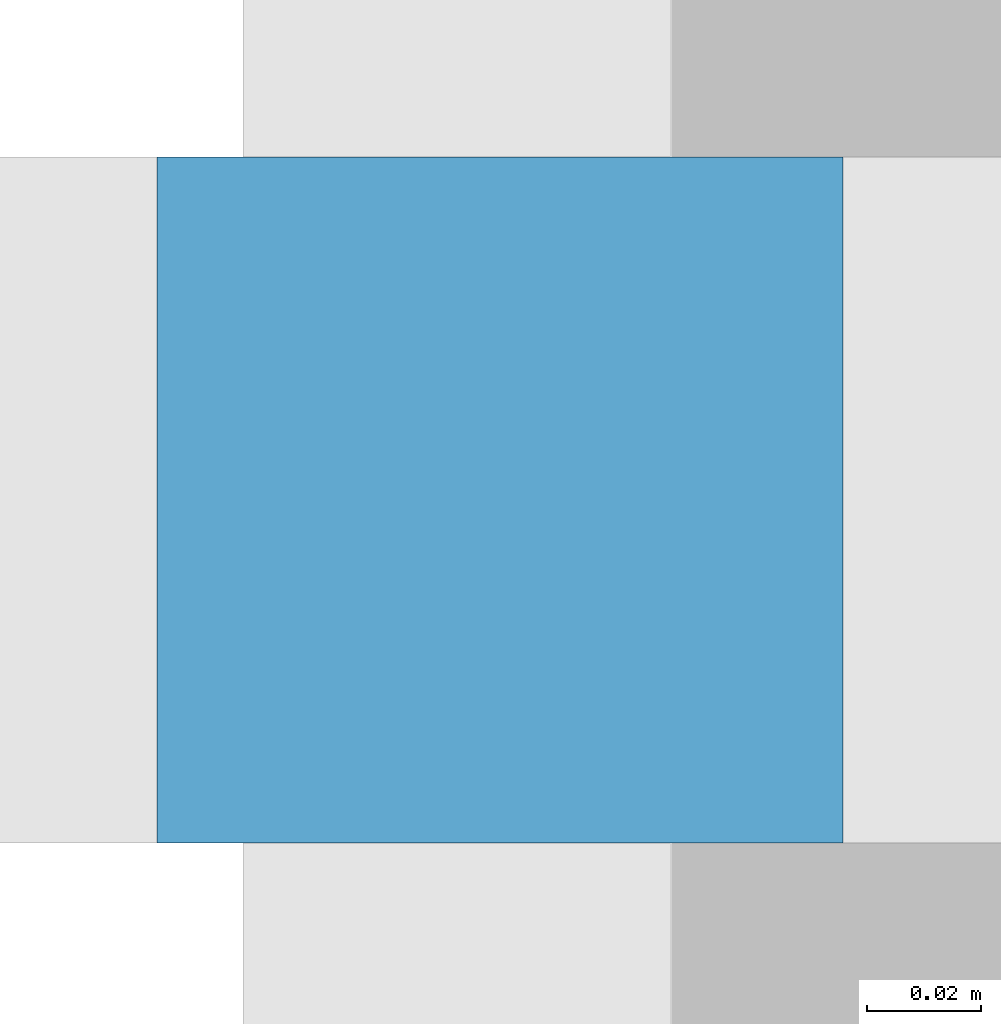
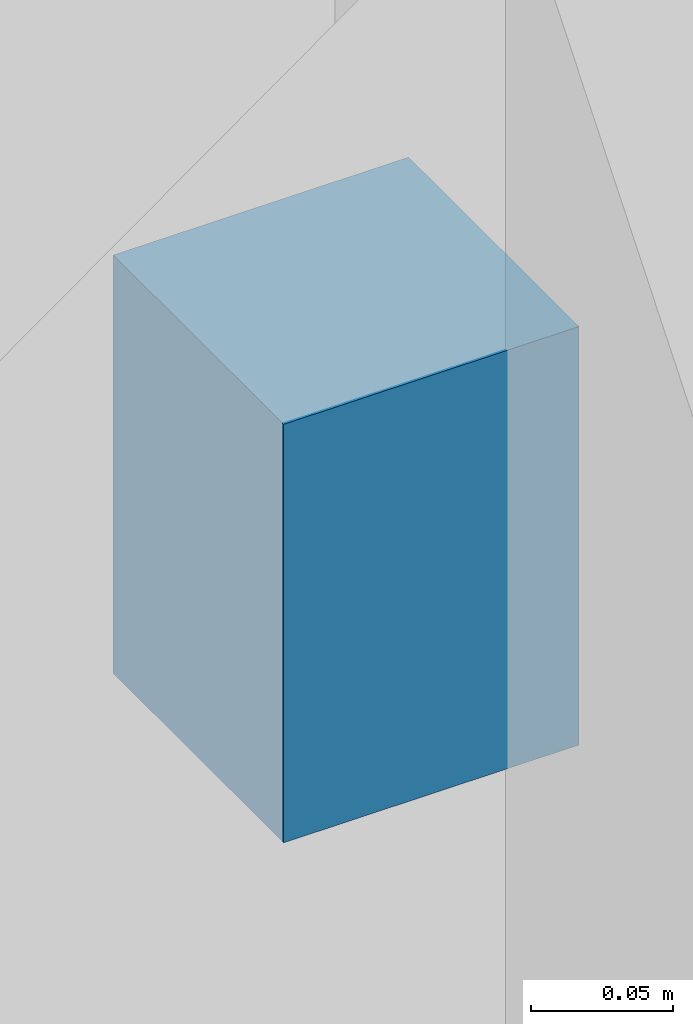
# One storey, part 43 of 54: 1 discrete accessory.
"""IFC4 building model written with IfcOpenShell, lengths in metres."""

import ifcopenshell
import ifcopenshell.guid

model = None  # the IFC model being written
_history = None  # IfcOwnerHistory: only IFC2X3 demands one
_inside = {}  # id of a spatial element -> (the spatial element, [elements in it])
_under = {}  # id of a project, library or spatial element -> (it, [spatial elements below it])
_declared = {}  # id of a project -> (the project, [libraries it declares])
_typed = {}  # id of a type object -> (the type object, [elements of that type])
_made_of = {}  # id of a material, layer set ... -> (it, [elements and type objects made of it])


def new_model(schema):
    """Start an empty IFC model of exactly this schema.

    Asked for "IFC4X3", IfcOpenShell would pick the latest addendum, in which some entities
    have other attributes; the version numbers below select the first issue.
    IFC2X3 requires an IfcOwnerHistory on every rooted entity: one is made here for all.
    """
    global model, _history
    if schema == "IFC4X3":
        model = ifcopenshell.file(schema_version=(4, 3, 0, 0))
    else:
        model = ifcopenshell.file(schema=schema)
    _inside.clear()
    _under.clear()
    _declared.clear()
    _typed.clear()
    _made_of.clear()
    _history = None
    if model.schema == "IFC2X3":
        org = make("IfcOrganization", Name="unknown")
        user = make(
            "IfcPersonAndOrganization",
            ThePerson=make("IfcPerson", FamilyName="unknown"),
            TheOrganization=org,
        )
        app = make(
            "IfcApplication",
            ApplicationDeveloper=org,
            Version="unknown",
            ApplicationFullName="unknown",
            ApplicationIdentifier="unknown",
        )
        _history = make(
            "IfcOwnerHistory",
            OwningUser=user,
            OwningApplication=app,
            ChangeAction="ADDED",
            CreationDate=0,
        )
    return model


def make(cls, **values):
    """One entity of the class cls with the attributes given. An attribute that is None is left unset."""
    return model.create_entity(
        cls, **{name: value for name, value in values.items() if value is not None}
    )


def rooted(cls, **values):
    """An entity with a GlobalId (a new one), such as an element, a storey or a relation."""
    return make(cls, GlobalId=ifcopenshell.guid.new(), OwnerHistory=_history, **values)


def si_unit(unit_type, name, prefix=None):
    """IfcSIUnit, for example si_unit("LENGTHUNIT", "METRE", prefix="MILLI")."""
    return make("IfcSIUnit", UnitType=unit_type, Prefix=prefix, Name=name)


def assignment(units):
    """IfcUnitAssignment: the units of a project."""
    return None if units is None else make("IfcUnitAssignment", Units=units)


def point(xyz):
    """IfcCartesianPoint."""
    return None if xyz is None else make("IfcCartesianPoint", Coordinates=xyz)


def direction(xyz):
    """IfcDirection."""
    return None if xyz is None else make("IfcDirection", DirectionRatios=xyz)


def frame(location, z_axis=None, x_axis=None):
    """IfcAxis2Placement3D, a coordinate frame: its origin and axes. An axis left out is left unset."""
    return make(
        "IfcAxis2Placement3D",
        Location=point(location),
        Axis=direction(z_axis),
        RefDirection=direction(x_axis),
    )


def frame_2d(location, x_axis=None):
    """IfcAxis2Placement2D, a coordinate frame in the plane: its origin and x axis."""
    return make(
        "IfcAxis2Placement2D", Location=point(location), RefDirection=direction(x_axis)
    )


def origin():
    """The frame at (0, 0, 0) with its axes left unset."""
    return frame((0.0, 0.0, 0.0))


def origin_2d():
    """The frame at (0, 0) in the plane with its x axis left unset."""
    return frame_2d((0.0, 0.0))


def place(relative_to, where):
    """IfcLocalPlacement: puts the frame where relative to a parent placement (None: the world)."""
    return make(
        "IfcLocalPlacement", PlacementRelTo=relative_to, RelativePlacement=where
    )


def context(
    kind, dimensions, precision=None, world=None, true_north=None, identifier=None
):
    """IfcGeometricRepresentationContext, for example the 3D "Model" context."""
    return make(
        "IfcGeometricRepresentationContext",
        ContextIdentifier=identifier,
        ContextType=kind,
        CoordinateSpaceDimension=dimensions,
        Precision=precision,
        WorldCoordinateSystem=world,
        TrueNorth=true_north,
    )


def subcontext(parent, identifier, kind, view, scale=None):
    """IfcGeometricRepresentationSubContext, for example "Body" below "Model"."""
    return make(
        "IfcGeometricRepresentationSubContext",
        ContextIdentifier=identifier,
        ContextType=kind,
        ParentContext=parent,
        TargetScale=scale,
        TargetView=view,
    )


def project(units=None, contexts=None):
    """IfcProject with its units and contexts."""
    return rooted(
        "IfcProject",
        Name="project",
        RepresentationContexts=contexts,
        UnitsInContext=assignment(units),
    )


def spatial(cls, under=None, at=None, **own):
    """A site, building, storey or space (cls), placed at a placement, below another one or the project."""
    s = rooted(cls, ObjectPlacement=at, **own)
    if under is not None:
        _under.setdefault(under.id(), (under, []))[1].append(s)
    return s


def profile(cls, at=None, kind="AREA", **sizes):
    """A parametric profile (cls). Its sizes go by their IFC names, for example OverallWidth=200.0."""
    return make(cls, ProfileType=kind, Position=at, **sizes)


def rectangle(**sizes):
    """IfcRectangleProfileDef."""
    return profile("IfcRectangleProfileDef", **sizes)


def extrude(swept, where, along, depth):
    """IfcExtrudedAreaSolid: the profile swept, set in the frame where, extruded along a direction by depth."""
    return make(
        "IfcExtrudedAreaSolid",
        SweptArea=swept,
        Position=where,
        ExtrudedDirection=direction(along),
        Depth=depth,
    )


def shape(context_of_items, identifier, shape_type, items):
    """IfcShapeRepresentation: the items that make up one representation, for example the "Body"."""
    return make(
        "IfcShapeRepresentation",
        ContextOfItems=context_of_items,
        RepresentationIdentifier=identifier,
        RepresentationType=shape_type,
        Items=items,
    )


def material(Name=None, Category=None):
    """IfcMaterial."""
    return make("IfcMaterial", Name=Name, Category=Category)


def made_of(thing, what):
    """Note that an element or type object is made of a material, layer set ...; save() writes the relation."""
    if what is not None:
        _made_of.setdefault(what.id(), (what, []))[1].append(thing)
    return thing


def type_object(cls, material=None, **own):
    """A type object (cls), such as IfcWallType, which elements share."""
    return made_of(rooted(cls, **own), material)


def element(
    cls,
    number,
    at=None,
    inside=None,
    cuts=None,
    type_object=None,
    material=None,
    context=None,
    identifier="Body",
    shape_type=None,
    held_by="IfcProductDefinitionShape",
    body=None,
    shapes=None,
    **own,
):
    """One element of the class cls, such as IfcWall. Its Tag is "e" and its number.

    at: its placement. inside: the storey or other place that contains it. cuts: it is an
    opening in that element (IfcRelVoidsElement). A single representation is given by context,
    identifier, shape_type and body (its items); several are given by shapes. held_by: the class
    of the entity that holds the representations. save() writes the other relations.
    """
    e = rooted(cls, Tag="e%d" % number, ObjectPlacement=at, **own)
    if body is not None:
        shapes = [shape(context, identifier, shape_type, body)]
    if shapes is not None:
        e.Representation = make(held_by, Representations=shapes)
    if inside is not None:
        _inside.setdefault(inside.id(), (inside, []))[1].append(e)
    if cuts is not None:
        rooted(
            "IfcRelVoidsElement", RelatingBuildingElement=cuts, RelatedOpeningElement=e
        )
    if type_object is not None:
        _typed.setdefault(type_object.id(), (type_object, []))[1].append(e)
    return made_of(e, material)


def aggregate(whole, parts):
    """IfcRelAggregates: a whole, such as a stair, and the parts it consists of."""
    return rooted("IfcRelAggregates", RelatingObject=whole, RelatedObjects=parts)


def save(model, path):
    """Write the relations noted so far, then the file.

    IfcRelAggregates (storeys below a building ...), IfcRelContainedInSpatialStructure (elements
    in a storey), IfcRelDefinesByType, IfcRelAssociatesMaterial and IfcRelDeclares: one each for
    every whole, place, type object, material and project.
    """
    for whole, parts in _under.values():
        aggregate(whole, parts)
    for where, things in _inside.values():
        rooted(
            "IfcRelContainedInSpatialStructure",
            RelatedElements=things,
            RelatingStructure=where,
        )
    for kind, things in _typed.values():
        rooted("IfcRelDefinesByType", RelatedObjects=things, RelatingType=kind)
    for what, things in _made_of.values():
        rooted("IfcRelAssociatesMaterial", RelatedObjects=things, RelatingMaterial=what)
    for by, libraries in _declared.values():
        rooted("IfcRelDeclares", RelatingContext=by, RelatedDefinitions=libraries)
    model.write(path)


model = new_model("IFC4")

# Units and contexts
model_context = context("Model", 3, precision=1e-05, world=origin(), true_north=direction((0.0, 1.0)))
body_context = subcontext(model_context, "Body", "Model", "MODEL_VIEW")
ifc_project = project(units=[si_unit("LENGTHUNIT", "METRE"), si_unit("AREAUNIT", "SQUARE_METRE"), si_unit("VOLUMEUNIT", "CUBIC_METRE"), si_unit("PLANEANGLEUNIT", "RADIAN"), si_unit("MASSUNIT", "GRAM", prefix="KILO")], contexts=[model_context])

# Site, building, storey
site_placement = place(None, origin())
site = spatial("IfcSite", under=ifc_project, at=site_placement, CompositionType="ELEMENT")
building_placement = place(site_placement, origin())
building = spatial("IfcBuilding", under=site, at=building_placement, Name="Sundgate Opera House", CompositionType="ELEMENT")
storey_placement = place(building_placement, frame((0.0, 0.0, 16.800048828125)))
storey = spatial("IfcBuildingStorey", under=building, at=storey_placement, Name="L03", CompositionType="ELEMENT", Elevation=16.800048828125)

# Discrete accessory
ifc_material = material(Name="Stainless steel EN 1.4404 bracket", Category="steel")
discrete_accessory_type = type_object("IfcDiscreteAccessoryType", Name="AC-BRACKET-SS", PredefinedType="BRACKET", material=ifc_material)
discrete_accessory_placement = place(storey_placement, frame((26.75, 73.5, 1.91015625), z_axis=(0.0, 0.0, 1.0), x_axis=(1.0, 0.0, 0.0)))
element("IfcDiscreteAccessory", 1, at=discrete_accessory_placement, inside=storey, type_object=discrete_accessory_type, Name="L03 Brise-Soleil Anchor Bracket BR0016", PredefinedType="BRACKET", context=body_context, shape_type="SweptSolid", body=[
    extrude(rectangle(XDim=0.1201171875, YDim=0.1201171875, at=origin_2d()), origin(), (0.0, 0.0, 1.0), 0.179931640625),
])

save(model, "model.ifc")
